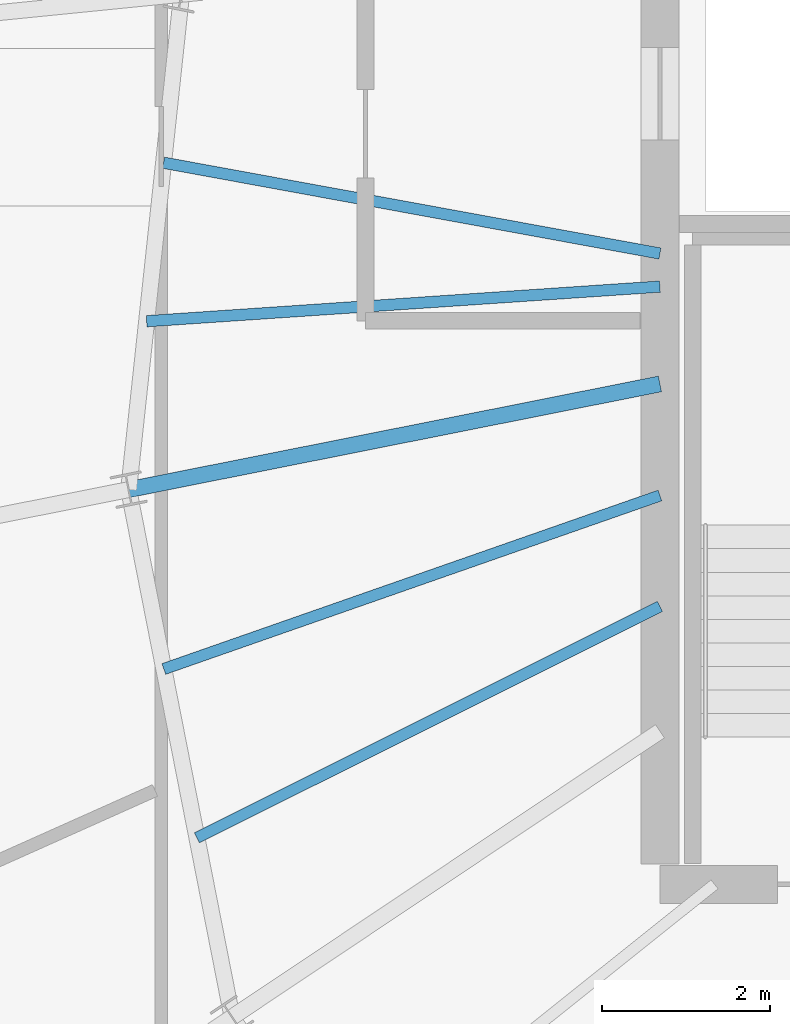
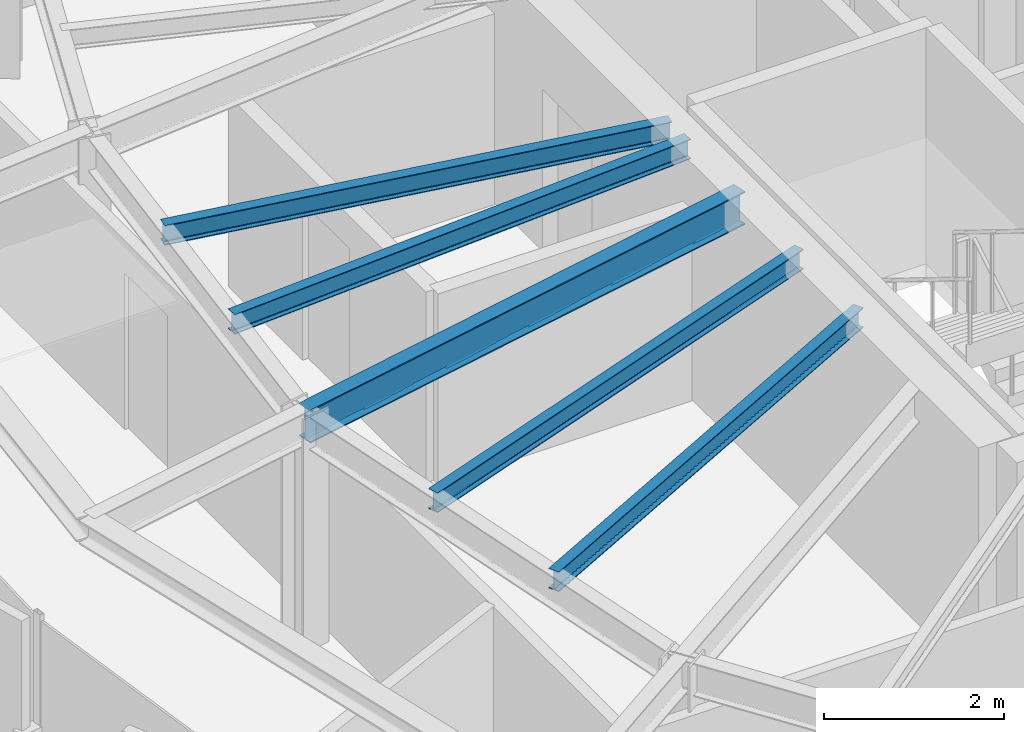
# One storey, part 10 of 31: 5 beams.
"""IFC4 building model written with IfcOpenShell, lengths in metres."""

from ifc_helpers import new_model, si_unit, direction, frame, origin, origin_2d, place, context, subcontext, project, spatial, i_section, extrude, source, transform, mapped, material, material_profile, profile_set, type_object, element, save


model = new_model("IFC4")

# Units and contexts
model_context = context("Model", 3, precision=1e-05, world=origin(), true_north=direction((0.0, 1.0)))
body_context = subcontext(model_context, "Body", "Model", "MODEL_VIEW")
ifc_project = project(units=[si_unit("LENGTHUNIT", "METRE"), si_unit("AREAUNIT", "SQUARE_METRE"), si_unit("VOLUMEUNIT", "CUBIC_METRE"), si_unit("PLANEANGLEUNIT", "RADIAN"), si_unit("MASSUNIT", "GRAM", prefix="KILO"), si_unit("THERMODYNAMICTEMPERATUREUNIT", "KELVIN")], contexts=[model_context])

# Site, building, storey
site_placement = place(None, origin())
site = spatial("IfcSite", under=ifc_project, at=site_placement, CompositionType="ELEMENT")
building_placement = place(site_placement, origin())
building = spatial("IfcBuilding", under=site, at=building_placement, Name="Kethvar Cultural Tower", CompositionType="ELEMENT")
storey_placement = place(building_placement, frame((0.0, 0.0, 269.800048828125)))
storey = spatial("IfcBuildingStorey", under=building, at=storey_placement, Name="L71", CompositionType="ELEMENT", Elevation=269.800048828125)

# Beams
ifc_material = material(Name="Steel S355J2", Category="steel")
ifc_material_profile_1 = material_profile(ifc_material, i_section(OverallWidth=0.18994140625, OverallDepth=0.449951171875, WebThickness=0.009521484375, FlangeThickness=0.0146484375, FilletRadius=0.02099609375, at=origin_2d()), Name="Steel S355J2 — IPE450")
ifc_profile_set_1 = profile_set([ifc_material_profile_1], Name="Steel S355J2 — IPE450")
beam_type_1 = type_object("IfcBeamType", Name="BM-IPE450", PredefinedType="BEAM", material=ifc_profile_set_1)
shared_shape_1 = source(origin(), body_context, "Body", "SweptSolid", [
    extrude(i_section(OverallWidth=0.18994140625, OverallDepth=0.449951171875, WebThickness=0.009521484375, FlangeThickness=0.0146484375, FilletRadius=0.02099609375, at=origin_2d()), origin(), (0.0, 0.0, 1.0), 6.440673828125),
])
beam_1_placement = place(storey_placement, frame((38.0, 26.049560546875, 2.98291015625), z_axis=(-0.980782804096, -0.195102770839, 0.0), x_axis=(0.195102770839, -0.980782804096, 0.0)))
element("IfcBeam", 1, at=beam_1_placement, inside=storey, type_object=beam_type_1, Name="L71 Primary Radial Beam RB-09", PredefinedType="BEAM", context=body_context, shape_type="MappedRepresentation", body=[
    mapped(shared_shape_1, transform((0.0, 0.0, 0.0), scale=1.0)),
])
ifc_material_profile_2 = material_profile(ifc_material, i_section(OverallWidth=0.135009765625, OverallDepth=0.27001953125, WebThickness=0.006591796875, FlangeThickness=0.01025390625, FilletRadius=0.014892578125, at=origin_2d()), Name="Steel S355J2 — IPE270")
ifc_profile_set_2 = profile_set([ifc_material_profile_2], Name="Steel S355J2 — IPE270")
beam_type_2 = type_object("IfcBeamType", Name="BM-J270", PredefinedType="JOIST", material=ifc_profile_set_2)
shared_shape_2 = source(origin(), body_context, "Body", "SweptSolid", [
    extrude(i_section(OverallWidth=0.135009765625, OverallDepth=0.27001953125, WebThickness=0.006591796875, FlangeThickness=0.01025390625, FilletRadius=0.014892578125, at=origin_2d()), origin(), (0.0, 0.0, 1.0), 5.99951171875),
])
beam_2_placement = place(storey_placement, frame((38.0, 27.60009765625, 3.072998046875), z_axis=(-0.983676616141, 0.179945310742, 0.0), x_axis=(-0.179945310742, -0.983676616141, 0.0)))
element("IfcBeam", 2, at=beam_2_placement, inside=storey, type_object=beam_type_2, Name="L71 Composite Floor Joist J-08A", PredefinedType="JOIST", context=body_context, shape_type="MappedRepresentation", body=[
    mapped(shared_shape_2, transform((0.0, 0.0, 0.0), scale=1.0)),
])
shared_shape_3 = source(origin(), body_context, "Body", "SweptSolid", [
    extrude(i_section(OverallWidth=0.135009765625, OverallDepth=0.27001953125, WebThickness=0.006591796875, FlangeThickness=0.01025390625, FilletRadius=0.014892578125, at=origin_2d()), origin(), (0.0, 0.0, 1.0), 6.116943359375),
])
beam_3_placement = place(storey_placement, frame((38.0, 27.206787109375, 3.072998046875), z_axis=(-0.997733289627, -0.067292516454, 0.0), x_axis=(0.067292516454, -0.997733289627, 0.0)))
element("IfcBeam", 3, at=beam_3_placement, inside=storey, type_object=beam_type_2, Name="L71 Composite Floor Joist J-08B", PredefinedType="JOIST", context=body_context, shape_type="MappedRepresentation", body=[
    mapped(shared_shape_3, transform((0.0, 0.0, 0.0), scale=1.0)),
])
shared_shape_4 = source(origin(), body_context, "Body", "SweptSolid", [
    extrude(i_section(OverallWidth=0.135009765625, OverallDepth=0.27001953125, WebThickness=0.006591796875, FlangeThickness=0.01025390625, FilletRadius=0.014892578125, at=origin_2d()), origin(), (0.0, 0.0, 1.0), 6.248779296875),
])
beam_4_placement = place(storey_placement, frame((38.0, 24.722900390625, 3.072998046875), z_axis=(-0.943960031743, -0.330059780148, 0.0), x_axis=(0.330059780148, -0.943960031743, 0.0)))
element("IfcBeam", 4, at=beam_4_placement, inside=storey, type_object=beam_type_2, Name="L71 Composite Floor Joist J-09A", PredefinedType="JOIST", context=body_context, shape_type="MappedRepresentation", body=[
    mapped(shared_shape_4, transform((0.0, 0.0, 0.0), scale=1.0)),
])
shared_shape_5 = source(origin(), body_context, "Body", "SweptSolid", [
    extrude(i_section(OverallWidth=0.135009765625, OverallDepth=0.27001953125, WebThickness=0.006591796875, FlangeThickness=0.01025390625, FilletRadius=0.014892578125, at=origin_2d()), origin(), (0.0, 0.0, 1.0), 6.154052734375),
])
beam_5_placement = place(storey_placement, frame((38.0, 23.40380859375, 3.072998046875), z_axis=(-0.89458581954, -0.446896197655, 0.0), x_axis=(0.446896197655, -0.89458581954, 0.0)))
element("IfcBeam", 5, at=beam_5_placement, inside=storey, type_object=beam_type_2, Name="L71 Composite Floor Joist J-09B", PredefinedType="JOIST", context=body_context, shape_type="MappedRepresentation", body=[
    mapped(shared_shape_5, transform((0.0, 0.0, 0.0), scale=1.0)),
])

save(model, "model.ifc")
